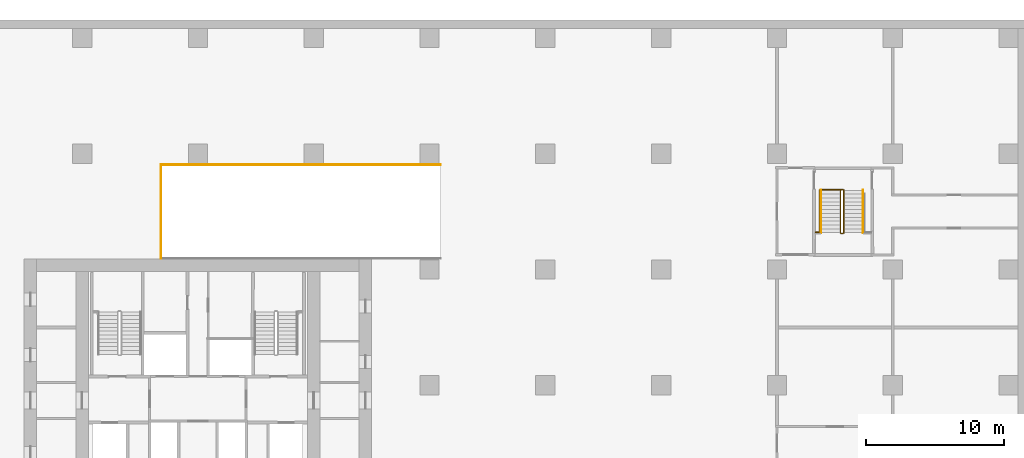
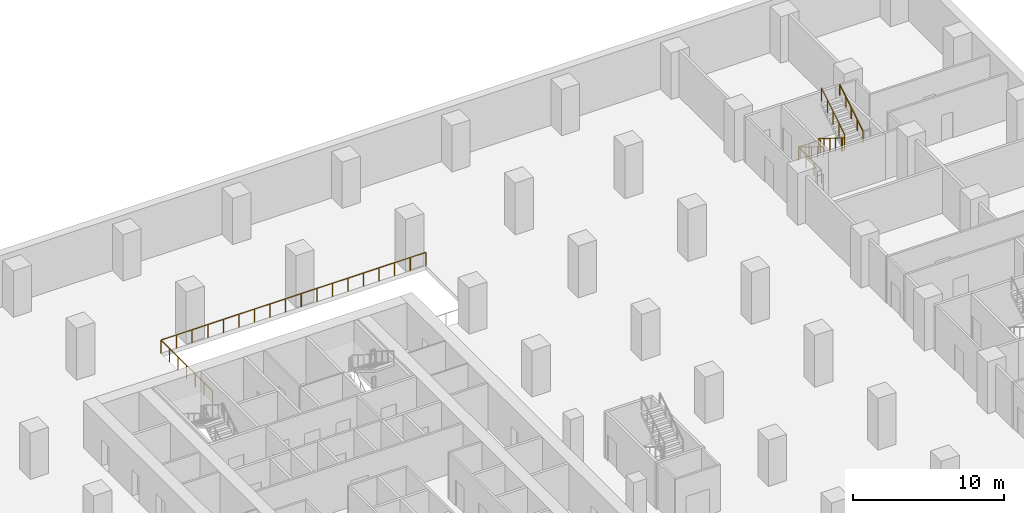
# One storey, part 17 of 17: 6 railings.
"""IFC4 building model written with IfcOpenShell, lengths in metres."""

from ifc_helpers import new_model, si_unit, direction, frame, origin, origin_2d, place, context, subcontext, project, spatial, rectangle, extrude, material, type_object, element, save


model = new_model("IFC4")

# Units and contexts
model_context = context("Model", 3, precision=1e-05, world=origin(), true_north=direction((0.0, 1.0)))
body_context = subcontext(model_context, "Body", "Model", "MODEL_VIEW")
ifc_project = project(units=[si_unit("LENGTHUNIT", "METRE"), si_unit("AREAUNIT", "SQUARE_METRE"), si_unit("VOLUMEUNIT", "CUBIC_METRE"), si_unit("PLANEANGLEUNIT", "RADIAN"), si_unit("MASSUNIT", "GRAM", prefix="KILO")], contexts=[model_context])

# Site, building, storey
site_placement = place(None, origin())
site = spatial("IfcSite", under=ifc_project, at=site_placement, CompositionType="ELEMENT")
building_placement = place(site_placement, origin())
building = spatial("IfcBuilding", under=site, at=building_placement, Name="Vermilion Ogive Tower", CompositionType="ELEMENT")
storey_placement = place(building_placement, frame((0.0, 0.0, -4.199951171875)))
storey = spatial("IfcBuildingStorey", under=building, at=storey_placement, Name="B1", CompositionType="ELEMENT", Elevation=-4.199951171875)

# Railings
ifc_material_1 = material(Name="Stainless steel", Category="steel")
railing_type_1 = type_object("IfcRailingType", Name="Slab edge guard SG1", PredefinedType="GUARDRAIL", material=ifc_material_1)
railing_1_placement = place(storey_placement, frame((-2.683349609375, 28.60009765625, 0.0)))
element("IfcRailing", 1, at=railing_1_placement, inside=storey, type_object=railing_type_1, Name="Ramp opening guard B1 N", PredefinedType="GUARDRAIL", context=body_context, shape_type="SweptSolid", body=[
    extrude(rectangle(XDim=0.050048828125, YDim=0.050048828125, at=origin_2d()), frame((0.0, 0.0, 1.0751953125), z_axis=(1.0, 0.0, 0.0), x_axis=(0.0, 1.0, 0.0)), (0.0, 0.0, 1.0), 20.283447265625),
    extrude(rectangle(XDim=0.050048828125, YDim=0.050048828125, at=origin_2d()), origin(), (0.0, 0.0, 1.0), 1.050048828125),
    extrude(rectangle(XDim=0.050048828125, YDim=0.050048828125, at=origin_2d()), frame((1.193115234375, 0.0, 0.0)), (0.0, 0.0, 1.0), 1.050048828125),
    extrude(rectangle(XDim=0.050048828125, YDim=0.050048828125, at=origin_2d()), frame((2.38623046875, 0.0, 0.0)), (0.0, 0.0, 1.0), 1.050048828125),
    extrude(rectangle(XDim=0.050048828125, YDim=0.050048828125, at=origin_2d()), frame((3.579345703125, 0.0, 0.0)), (0.0, 0.0, 1.0), 1.050048828125),
    extrude(rectangle(XDim=0.050048828125, YDim=0.050048828125, at=origin_2d()), frame((4.7724609375, 0.0, 0.0)), (0.0, 0.0, 1.0), 1.050048828125),
    extrude(rectangle(XDim=0.050048828125, YDim=0.050048828125, at=origin_2d()), frame((5.9658203125, 0.0, 0.0)), (0.0, 0.0, 1.0), 1.050048828125),
    extrude(rectangle(XDim=0.050048828125, YDim=0.050048828125, at=origin_2d()), frame((7.158935546875, 0.0, 0.0)), (0.0, 0.0, 1.0), 1.050048828125),
    extrude(rectangle(XDim=0.050048828125, YDim=0.050048828125, at=origin_2d()), frame((8.35205078125, 0.0, 0.0)), (0.0, 0.0, 1.0), 1.050048828125),
    extrude(rectangle(XDim=0.050048828125, YDim=0.050048828125, at=origin_2d()), frame((9.545166015625, 0.0, 0.0)), (0.0, 0.0, 1.0), 1.050048828125),
    extrude(rectangle(XDim=0.050048828125, YDim=0.050048828125, at=origin_2d()), frame((10.73828125, 0.0, 0.0)), (0.0, 0.0, 1.0), 1.050048828125),
    extrude(rectangle(XDim=0.050048828125, YDim=0.050048828125, at=origin_2d()), frame((11.931396484375, 0.0, 0.0)), (0.0, 0.0, 1.0), 1.050048828125),
    extrude(rectangle(XDim=0.050048828125, YDim=0.050048828125, at=origin_2d()), frame((13.12451171875, 0.0, 0.0)), (0.0, 0.0, 1.0), 1.050048828125),
    extrude(rectangle(XDim=0.050048828125, YDim=0.050048828125, at=origin_2d()), frame((14.317626953125, 0.0, 0.0)), (0.0, 0.0, 1.0), 1.050048828125),
    extrude(rectangle(XDim=0.050048828125, YDim=0.050048828125, at=origin_2d()), frame((15.510986328125, 0.0, 0.0)), (0.0, 0.0, 1.0), 1.050048828125),
    extrude(rectangle(XDim=0.050048828125, YDim=0.050048828125, at=origin_2d()), frame((16.7041015625, 0.0, 0.0)), (0.0, 0.0, 1.0), 1.050048828125),
    extrude(rectangle(XDim=0.050048828125, YDim=0.050048828125, at=origin_2d()), frame((17.897216796875, 0.0, 0.0)), (0.0, 0.0, 1.0), 1.050048828125),
    extrude(rectangle(XDim=0.050048828125, YDim=0.050048828125, at=origin_2d()), frame((19.09033203125, 0.0, 0.0)), (0.0, 0.0, 1.0), 1.050048828125),
    extrude(rectangle(XDim=0.050048828125, YDim=0.050048828125, at=origin_2d()), frame((20.283447265625, 0.0, 0.0)), (0.0, 0.0, 1.0), 1.050048828125),
])
railing_2_placement = place(storey_placement, frame((-2.683349609375, 21.800048828125, 0.0)))
element("IfcRailing", 2, at=railing_2_placement, inside=storey, type_object=railing_type_1, Name="Ramp opening guard B1 W", PredefinedType="GUARDRAIL", context=body_context, shape_type="SweptSolid", body=[
    extrude(rectangle(XDim=0.050048828125, YDim=0.050048828125, at=origin_2d()), frame((0.0, 0.0, 1.0751953125), z_axis=(0.0, 1.0, 0.0), x_axis=(-1.0, 0.0, 0.0)), (0.0, 0.0, 1.0), 6.800048828125),
    extrude(rectangle(XDim=0.050048828125, YDim=0.050048828125, at=origin_2d()), origin(), (0.0, 0.0, 1.0), 1.050048828125),
    extrude(rectangle(XDim=0.050048828125, YDim=0.050048828125, at=origin_2d()), frame((0.0, 1.13330078125, 0.0)), (0.0, 0.0, 1.0), 1.050048828125),
    extrude(rectangle(XDim=0.050048828125, YDim=0.050048828125, at=origin_2d()), frame((0.0, 2.2666015625, 0.0)), (0.0, 0.0, 1.0), 1.050048828125),
    extrude(rectangle(XDim=0.050048828125, YDim=0.050048828125, at=origin_2d()), frame((0.0, 3.39990234375, 0.0)), (0.0, 0.0, 1.0), 1.050048828125),
    extrude(rectangle(XDim=0.050048828125, YDim=0.050048828125, at=origin_2d()), frame((0.0, 4.533447265625, 0.0)), (0.0, 0.0, 1.0), 1.050048828125),
    extrude(rectangle(XDim=0.050048828125, YDim=0.050048828125, at=origin_2d()), frame((0.0, 5.666748046875, 0.0)), (0.0, 0.0, 1.0), 1.050048828125),
    extrude(rectangle(XDim=0.050048828125, YDim=0.050048828125, at=origin_2d()), frame((0.0, 6.800048828125, 0.0)), (0.0, 0.0, 1.0), 1.050048828125),
])
ifc_material_2 = material(Name="Steel S355 painted", Category="steel")
railing_type_2 = type_object("IfcRailingType", Name="Stair guard 1100", PredefinedType="GUARDRAIL", material=ifc_material_2)
railing_3_placement = place(storey_placement, frame((46.800048828125, 26.800048828125, 0.0)))
element("IfcRailing", 3, at=railing_3_placement, inside=storey, type_object=railing_type_2, Name="B1 PEN stair guard 4", PredefinedType="GUARDRAIL", context=body_context, shape_type="SweptSolid", body=[
    extrude(rectangle(XDim=0.048095703125, YDim=0.048095703125, at=origin_2d()), frame((0.0, 0.0, 1.076171875), z_axis=(-1.0, 0.0, 0.0), x_axis=(0.0, -1.0, 0.0)), (0.0, 0.0, 1.0), 0.150146484375),
    extrude(rectangle(XDim=0.048095703125, YDim=0.048095703125, at=origin_2d()), frame((-0.150146484375, 0.0, 1.076171875), z_axis=(-0.263862480399, -0.265155923931, 0.927399011991), x_axis=(0.708833529934, -0.705375805398, 0.0)), (0.0, 0.0, 1.0), 0.188720703125),
    extrude(rectangle(XDim=0.048095703125, YDim=0.048095703125, at=origin_2d()), frame((-0.199951171875, -0.050048828125, 1.2509765625), z_axis=(0.0, -0.848028513186, 0.529950602248), x_axis=(1.0, 0.0, 0.0)), (0.0, 0.0, 1.0), 3.632080078125),
    extrude(rectangle(XDim=0.048095703125, YDim=0.048095703125, at=origin_2d()), frame((-0.199951171875, -3.130126953125, 3.17578125), z_axis=(0.707106781187, -0.707106781187, 0.0), x_axis=(0.707106781187, 0.707106781187, 0.0)), (0.0, 0.0, 1.0), 0.0703125),
    extrude(rectangle(XDim=0.048095703125, YDim=0.048095703125, at=origin_2d()), frame((-0.150146484375, -3.179931640625, 3.17578125), z_axis=(1.0, 0.0, 0.0), x_axis=(0.0, 1.0, 0.0)), (0.0, 0.0, 1.0), 0.150146484375),
    extrude(rectangle(XDim=0.048095703125, YDim=0.048095703125, at=origin_2d()), frame((0.0, -3.179931640625, 3.17578125), z_axis=(0.265155923931, 0.263862480399, 0.927399011991), x_axis=(-0.705375805398, 0.708833529934, 0.0)), (0.0, 0.0, 1.0), 0.188720703125),
    extrude(rectangle(XDim=0.048095703125, YDim=0.048095703125, at=origin_2d()), frame((0.050048828125, -3.130126953125, 3.35107421875), z_axis=(0.0, 0.847998304005, 0.529998940003), x_axis=(-1.0, 0.0, 0.0)), (0.0, 0.0, 1.0), 3.632080078125),
    extrude(rectangle(XDim=0.0419921875, YDim=0.0419921875, at=origin_2d()), origin(), (0.0, 0.0, 1.0), 1.052001953125),
    extrude(rectangle(XDim=0.0419921875, YDim=0.0419921875, at=origin_2d()), frame((-0.150146484375, 0.0, 0.0)), (0.0, 0.0, 1.0), 1.052001953125),
    extrude(rectangle(XDim=0.0419921875, YDim=0.0419921875, at=origin_2d()), frame((-0.199951171875, -0.050048828125, 0.175048828125)), (0.0, 0.0, 1.0), 1.052001953125),
    extrude(rectangle(XDim=0.0419921875, YDim=0.0419921875, at=origin_2d()), frame((-0.199951171875, -0.820068359375, 0.65625)), (0.0, 0.0, 1.0), 1.052001953125),
    extrude(rectangle(XDim=0.0419921875, YDim=0.0419921875, at=origin_2d()), frame((-0.199951171875, -1.590087890625, 1.137451171875)), (0.0, 0.0, 1.0), 1.052001953125),
    extrude(rectangle(XDim=0.0419921875, YDim=0.0419921875, at=origin_2d()), frame((-0.199951171875, -2.360107421875, 1.61865234375)), (0.0, 0.0, 1.0), 1.052001953125),
    extrude(rectangle(XDim=0.0419921875, YDim=0.0419921875, at=origin_2d()), frame((-0.199951171875, -3.130126953125, 2.099853515625)), (0.0, 0.0, 1.0), 1.052001953125),
    extrude(rectangle(XDim=0.0419921875, YDim=0.0419921875, at=origin_2d()), frame((-0.150146484375, -3.179931640625, 2.099853515625)), (0.0, 0.0, 1.0), 1.052001953125),
    extrude(rectangle(XDim=0.0419921875, YDim=0.0419921875, at=origin_2d()), frame((0.0, -3.179931640625, 2.099853515625)), (0.0, 0.0, 1.0), 1.052001953125),
    extrude(rectangle(XDim=0.0419921875, YDim=0.0419921875, at=origin_2d()), frame((0.050048828125, -3.130126953125, 2.27490234375)), (0.0, 0.0, 1.0), 1.052001953125),
    extrude(rectangle(XDim=0.0419921875, YDim=0.0419921875, at=origin_2d()), frame((0.050048828125, -2.360107421875, 2.756103515625)), (0.0, 0.0, 1.0), 1.052001953125),
    extrude(rectangle(XDim=0.0419921875, YDim=0.0419921875, at=origin_2d()), frame((0.050048828125, -1.590087890625, 3.2373046875)), (0.0, 0.0, 1.0), 1.052001953125),
    extrude(rectangle(XDim=0.0419921875, YDim=0.0419921875, at=origin_2d()), frame((0.050048828125, -0.820068359375, 3.71875)), (0.0, 0.0, 1.0), 1.052001953125),
    extrude(rectangle(XDim=0.0419921875, YDim=0.0419921875, at=origin_2d()), frame((0.050048828125, -0.050048828125, 4.199951171875)), (0.0, 0.0, 1.0), 1.052001953125),
])
railing_4_placement = place(storey_placement, frame((44.790283203125, 23.70166015625, 0.0)))
element("IfcRailing", 4, at=railing_4_placement, inside=storey, type_object=railing_type_2, Name="B1 stair opening guard", PredefinedType="GUARDRAIL", context=body_context, shape_type="SweptSolid", body=[
    extrude(rectangle(XDim=0.048095703125, YDim=0.048095703125, at=origin_2d()), frame((0.0, 0.0, 1.076171875), z_axis=(1.0, 0.0, 0.0), x_axis=(0.0, 1.0, 0.0)), (0.0, 0.0, 1.0), 0.30859375),
    extrude(rectangle(XDim=0.048095703125, YDim=0.048095703125, at=origin_2d()), frame((0.30859375, 0.0, 1.076171875), z_axis=(0.0, 1.0, 0.0), x_axis=(-1.0, 0.0, 0.0)), (0.0, 0.0, 1.0), 3.079833984375),
    extrude(rectangle(XDim=0.048095703125, YDim=0.048095703125, at=origin_2d()), frame((0.30859375, 3.079833984375, 1.076171875), z_axis=(1.0, 0.0, 0.0), x_axis=(0.0, 1.0, 0.0)), (0.0, 0.0, 1.0), 1.60009765625),
    extrude(rectangle(XDim=0.0419921875, YDim=0.0419921875, at=origin_2d()), origin(), (0.0, 0.0, 1.0), 1.052001953125),
    extrude(rectangle(XDim=0.0419921875, YDim=0.0419921875, at=origin_2d()), frame((0.30859375, 0.0, 0.0)), (0.0, 0.0, 1.0), 1.052001953125),
    extrude(rectangle(XDim=0.0419921875, YDim=0.0419921875, at=origin_2d()), frame((0.30859375, 1.026611328125, 0.0)), (0.0, 0.0, 1.0), 1.052001953125),
    extrude(rectangle(XDim=0.0419921875, YDim=0.0419921875, at=origin_2d()), frame((0.30859375, 2.05322265625, 0.0)), (0.0, 0.0, 1.0), 1.052001953125),
    extrude(rectangle(XDim=0.0419921875, YDim=0.0419921875, at=origin_2d()), frame((0.30859375, 3.079833984375, 0.0)), (0.0, 0.0, 1.0), 1.052001953125),
    extrude(rectangle(XDim=0.0419921875, YDim=0.0419921875, at=origin_2d()), frame((1.108642578125, 3.079833984375, 0.0)), (0.0, 0.0, 1.0), 1.052001953125),
    extrude(rectangle(XDim=0.0419921875, YDim=0.0419921875, at=origin_2d()), frame((1.90869140625, 3.079833984375, 0.0)), (0.0, 0.0, 1.0), 1.052001953125),
])
ifc_material_3 = material(Name="Stainless steel", Category="steel")
railing_type_3 = type_object("IfcRailingType", Name="Stair handrail 900", PredefinedType="HANDRAIL", material=ifc_material_3)
railing_5_placement = place(storey_placement, frame((45.199951171875, 26.75, 0.175048828125)))
element("IfcRailing", 5, at=railing_5_placement, inside=storey, type_object=railing_type_3, Name="B1 PEN stair handrail 1", PredefinedType="HANDRAIL", context=body_context, shape_type="SweptSolid", body=[
    extrude(rectangle(XDim=0.048095703125, YDim=0.048095703125, at=origin_2d()), frame((0.0, 0.0, 0.8759765625), z_axis=(0.0, -0.848028513186, 0.529950602248), x_axis=(1.0, 0.0, 0.0)), (0.0, 0.0, 1.0), 3.632080078125),
    extrude(rectangle(XDim=0.0419921875, YDim=0.0419921875, at=origin_2d()), origin(), (0.0, 0.0, 1.0), 0.851806640625),
    extrude(rectangle(XDim=0.0419921875, YDim=0.0419921875, at=origin_2d()), frame((0.0, -0.77001953125, 0.481201171875)), (0.0, 0.0, 1.0), 0.851806640625),
    extrude(rectangle(XDim=0.0419921875, YDim=0.0419921875, at=origin_2d()), frame((0.0, -1.5400390625, 0.96240234375)), (0.0, 0.0, 1.0), 0.851806640625),
    extrude(rectangle(XDim=0.0419921875, YDim=0.0419921875, at=origin_2d()), frame((0.0, -2.31005859375, 1.443603515625)), (0.0, 0.0, 1.0), 0.851806640625),
    extrude(rectangle(XDim=0.0419921875, YDim=0.0419921875, at=origin_2d()), frame((0.0, -3.080078125, 1.9248046875)), (0.0, 0.0, 1.0), 0.851806640625),
])
railing_6_placement = place(storey_placement, frame((48.25, 23.669921875, 2.27490234375)))
element("IfcRailing", 6, at=railing_6_placement, inside=storey, type_object=railing_type_3, Name="B1 PEN stair handrail 2", PredefinedType="HANDRAIL", context=body_context, shape_type="SweptSolid", body=[
    extrude(rectangle(XDim=0.048095703125, YDim=0.048095703125, at=origin_2d()), frame((0.0, 0.0, 0.8759765625), z_axis=(0.0, 0.847998304005, 0.529998940003), x_axis=(-1.0, 0.0, 0.0)), (0.0, 0.0, 1.0), 3.632080078125),
    extrude(rectangle(XDim=0.0419921875, YDim=0.0419921875, at=origin_2d()), origin(), (0.0, 0.0, 1.0), 0.851806640625),
    extrude(rectangle(XDim=0.0419921875, YDim=0.0419921875, at=origin_2d()), frame((0.0, 0.77001953125, 0.481201171875)), (0.0, 0.0, 1.0), 0.851806640625),
    extrude(rectangle(XDim=0.0419921875, YDim=0.0419921875, at=origin_2d()), frame((0.0, 1.5400390625, 0.96240234375)), (0.0, 0.0, 1.0), 0.851806640625),
    extrude(rectangle(XDim=0.0419921875, YDim=0.0419921875, at=origin_2d()), frame((0.0, 2.31005859375, 1.44384765625)), (0.0, 0.0, 1.0), 0.851806640625),
    extrude(rectangle(XDim=0.0419921875, YDim=0.0419921875, at=origin_2d()), frame((0.0, 3.080078125, 1.925048828125)), (0.0, 0.0, 1.0), 0.851806640625),
])

save(model, "model.ifc")
